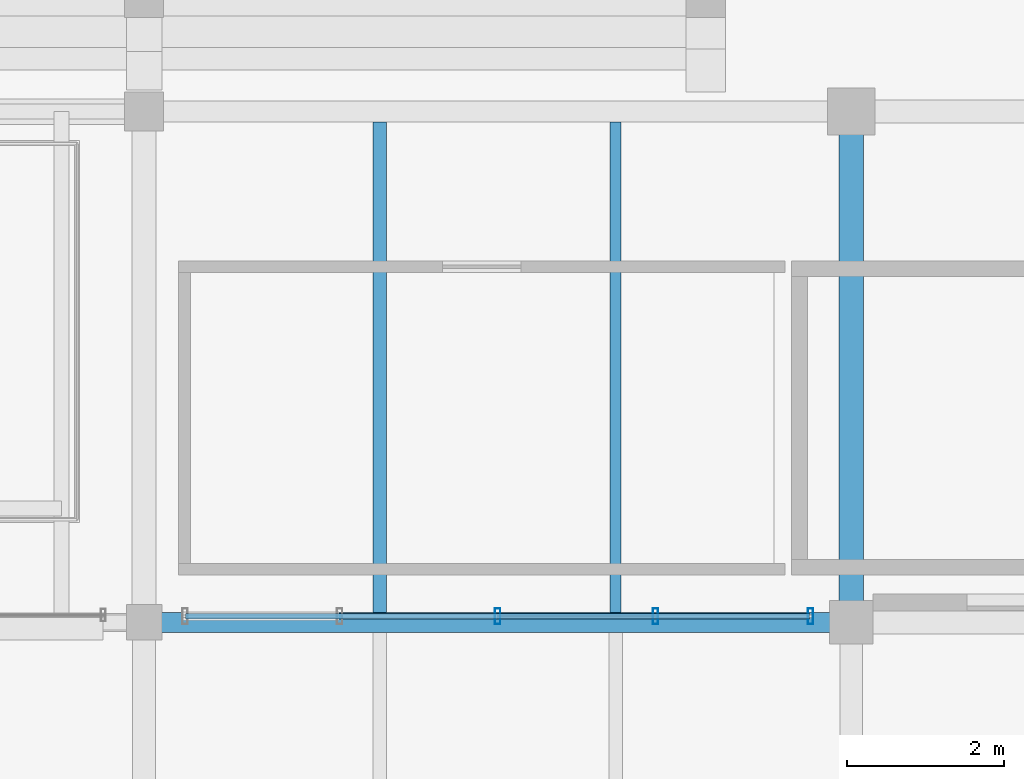
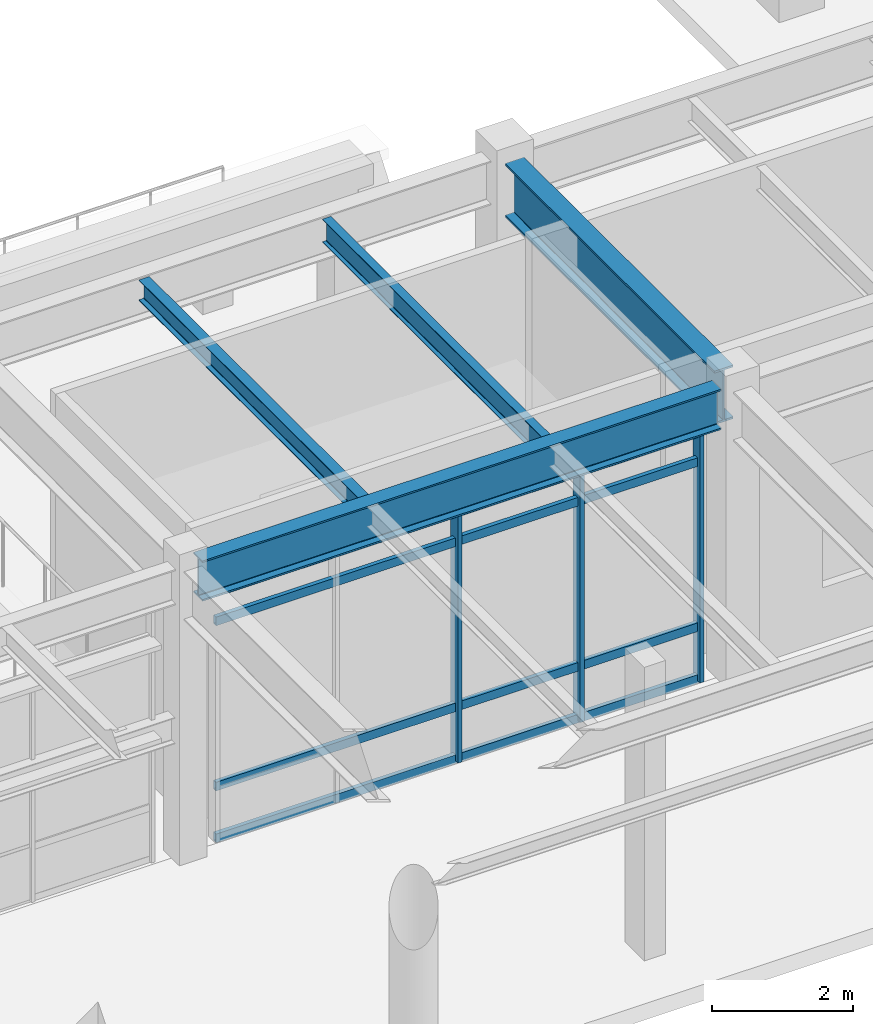
# One storey, part 56 of 203: 7 members, 4 beams, 1 element without a shape of its own.
"""IFC4 building model written with IfcOpenShell, lengths in metres."""

from ifc_helpers import new_model, si_unit, direction, frame, origin, origin_2d, place, context, subcontext, project, spatial, hollow_rectangle, i_section, extrude, material, material_profile, profile_set, type_object, element, aggregate, save


model = new_model("IFC4")

# Units and contexts
model_context = context("Model", 3, precision=1e-05, world=origin(), true_north=direction((0.0, 1.0)))
body_context = subcontext(model_context, "Body", "Model", "MODEL_VIEW")
ifc_project = project(units=[si_unit("LENGTHUNIT", "METRE"), si_unit("AREAUNIT", "SQUARE_METRE"), si_unit("VOLUMEUNIT", "CUBIC_METRE"), si_unit("PLANEANGLEUNIT", "RADIAN"), si_unit("MASSUNIT", "GRAM", prefix="KILO"), si_unit("THERMODYNAMICTEMPERATUREUNIT", "KELVIN"), si_unit("POWERUNIT", "WATT")], contexts=[model_context])

# Site, building, storey
site_placement = place(None, origin())
site = spatial("IfcSite", under=ifc_project, at=site_placement, CompositionType="ELEMENT")
building_placement = place(site_placement, origin())
building = spatial("IfcBuilding", under=site, at=building_placement, Name="Tepalcoro Natatorium and Aquatics Centre", CompositionType="ELEMENT")
storey_placement = place(building_placement, origin())
storey = spatial("IfcBuildingStorey", under=building, at=storey_placement, Name="L00", CompositionType="ELEMENT", Elevation=0.0)

# Beams
ifc_material_1 = material(Name="Steel ASTM A992 Grade 50 (Fy 345 MPa)", Category="steel")
ifc_material_profile_1 = material_profile(ifc_material_1, i_section(OverallWidth=0.25390625, OverallDepth=0.700927734375, WebThickness=0.014892578125, FlangeThickness=0.028076171875, FilletRadius=0.013916015625, at=origin_2d()), Name="W27X129")
ifc_profile_set_1 = profile_set([ifc_material_profile_1], Name="Steel ASTM A992 Grade 50 (Fy 345 MPa)")
beam_type_1 = type_object("IfcBeamType", Name="BM_W27x129", PredefinedType="BEAM", material=ifc_profile_set_1)
beam_1_placement = place(storey_placement, frame((107.2099609375, 6.5, 4.734619140625), z_axis=(1.0, 0.0, 0.0), x_axis=(0.0, 1.0, 0.0)))
element("IfcBeam", 1, at=beam_1_placement, inside=storey, type_object=beam_type_1, Name="V1 L00 Grid Girder X", PredefinedType="BEAM", context=body_context, shape_type="SweptSolid", body=[
    extrude(i_section(OverallWidth=0.25390625, OverallDepth=0.700927734375, WebThickness=0.014892578125, FlangeThickness=0.028076171875, FilletRadius=0.013916015625, at=origin_2d()), origin(), (0.0, 0.0, 1.0), 8.530029296875),
])
ifc_material_profile_2 = material_profile(ifc_material_1, i_section(OverallWidth=0.31005859375, OverallDepth=0.931884765625, WebThickness=0.02099609375, FlangeThickness=0.034912109375, FilletRadius=0.013916015625, at=origin_2d()), Name="W36X210")
ifc_profile_set_2 = profile_set([ifc_material_profile_2], Name="Steel ASTM A992 Grade 50 (Fy 345 MPa)")
beam_type_2 = type_object("IfcBeamType", Name="BM_W36x210", PredefinedType="BEAM", material=ifc_profile_set_2)
beam_2_placement = place(storey_placement, frame((116.0, 6.760009765625, 4.658935546875), z_axis=(0.0, 1.0, 0.0), x_axis=(-1.0, 0.0, 0.0)))
element("IfcBeam", 2, at=beam_2_placement, inside=storey, type_object=beam_type_2, Name="V1 L00 Grid Girder Y", PredefinedType="BEAM", context=body_context, shape_type="SweptSolid", body=[
    extrude(i_section(OverallWidth=0.31005859375, OverallDepth=0.931884765625, WebThickness=0.02099609375, FlangeThickness=0.034912109375, FilletRadius=0.013916015625, at=origin_2d()), origin(), (0.0, 0.0, 1.0), 5.955078125),
])

# Curtain wall, members
ifc_material_2 = material(Name="Bronze-Anodised Extruded Aluminium Alloy EN AW-6063 T6", Category="aluminium")
curtain_wall_type = type_object("IfcCurtainWallType", Name="CW_LEAN_T2_NS", PredefinedType="USERDEFINED", material=ifc_material_2)
curtain_wall_placement = place(storey_placement, origin())
curtain_wall = element("IfcCurtainWall", 3, at=curtain_wall_placement, inside=storey, type_object=curtain_wall_type, Name="V1 L00 S Unitised Curtain Wall Bay 8", ObjectType="FACETED SOLAR GLAZING", PredefinedType="USERDEFINED")
ifc_material_profile_3 = material_profile(ifc_material_2, hollow_rectangle(XDim=0.070068359375, YDim=0.199951171875, WallThickness=0.0048828125, at=origin_2d()), Name="AL70X200X5")
ifc_profile_set_3 = profile_set([ifc_material_profile_3], Name="Bronze-Anodised Extruded Aluminium Alloy EN AW-6063 T6")
member_type_1 = type_object("IfcMemberType", Name="CW_MUL_70x200", PredefinedType="MULLION", material=ifc_profile_set_3)
member_1_placement = place(storey_placement, frame((111.5, 6.576171875, 0.02001953125), z_axis=(0.0, 0.0, 1.0), x_axis=(1.0, 0.0, 0.0)))
member_1 = element("IfcMember", 4, at=member_1_placement, type_object=member_type_1, Name="CW_LEAN_T2_NS Curtain Wall Mullion", PredefinedType="MULLION", context=body_context, shape_type="SweptSolid", body=[
    extrude(hollow_rectangle(XDim=0.070068359375, YDim=0.199951171875, WallThickness=0.0048828125, at=origin_2d()), origin(), (0.0, 0.0, 1.0), 4.3291015625),
])
member_2_placement = place(storey_placement, frame((113.510009765625, 6.576171875, 0.02001953125), z_axis=(0.0, 0.0, 1.0), x_axis=(1.0, 0.0, 0.0)))
member_2 = element("IfcMember", 5, at=member_2_placement, type_object=member_type_1, Name="CW_LEAN_T2_NS Curtain Wall Mullion", PredefinedType="MULLION", context=body_context, shape_type="SweptSolid", body=[
    extrude(hollow_rectangle(XDim=0.070068359375, YDim=0.199951171875, WallThickness=0.0048828125, at=origin_2d()), origin(), (0.0, 0.0, 1.0), 4.3291015625),
])
member_3_placement = place(storey_placement, frame((115.47998046875, 6.576171875, 0.02001953125), z_axis=(0.0, 0.0, 1.0), x_axis=(1.0, 0.0, 0.0)))
member_3 = element("IfcMember", 6, at=member_3_placement, type_object=member_type_1, Name="CW_LEAN_T2_NS Curtain Wall Mullion", PredefinedType="MULLION", context=body_context, shape_type="SweptSolid", body=[
    extrude(hollow_rectangle(XDim=0.070068359375, YDim=0.199951171875, WallThickness=0.0048828125, at=origin_2d()), origin(), (0.0, 0.0, 1.0), 4.3291015625),
])
ifc_material_profile_4 = material_profile(ifc_material_2, hollow_rectangle(XDim=0.070068359375, YDim=0.14990234375, WallThickness=0.00390625, at=origin_2d()), Name="AL70X150X4")
ifc_profile_set_4 = profile_set([ifc_material_profile_4], Name="Bronze-Anodised Extruded Aluminium Alloy EN AW-6063 T6")
member_type_2 = type_object("IfcMemberType", Name="CW_TRN_70x150", PredefinedType="USERDEFINED", material=ifc_profile_set_4)
member_4_placement = place(storey_placement, frame((107.530029296875, 6.576171875, 0.050048828125), z_axis=(1.0, 0.0, 0.0), x_axis=(0.0, 1.0, 0.0)))
member_4 = element("IfcMember", 7, at=member_4_placement, type_object=member_type_2, Name="CW_LEAN_T2_NS Curtain Wall Transom", ObjectType="TRANSOM", PredefinedType="USERDEFINED", context=body_context, shape_type="SweptSolid", body=[
    extrude(hollow_rectangle(XDim=0.070068359375, YDim=0.14990234375, WallThickness=0.00390625, at=origin_2d()), origin(), (0.0, 0.0, 1.0), 7.93994140625),
])
member_5_placement = place(storey_placement, frame((107.530029296875, 6.576171875, 0.949951171875), z_axis=(1.0, 0.0, 0.0), x_axis=(0.0, 1.0, 0.0)))
member_5 = element("IfcMember", 8, at=member_5_placement, type_object=member_type_2, Name="CW_LEAN_T2_NS Curtain Wall Transom", ObjectType="TRANSOM", PredefinedType="USERDEFINED", context=body_context, shape_type="SweptSolid", body=[
    extrude(hollow_rectangle(XDim=0.070068359375, YDim=0.14990234375, WallThickness=0.00390625, at=origin_2d()), origin(), (0.0, 0.0, 1.0), 7.93994140625),
])
member_6_placement = place(storey_placement, frame((107.530029296875, 6.576171875, 3.819091796875), z_axis=(1.0, 0.0, 0.0), x_axis=(0.0, 1.0, 0.0)))
member_6 = element("IfcMember", 9, at=member_6_placement, type_object=member_type_2, Name="CW_LEAN_T2_NS Curtain Wall Transom", ObjectType="TRANSOM", PredefinedType="USERDEFINED", context=body_context, shape_type="SweptSolid", body=[
    extrude(hollow_rectangle(XDim=0.070068359375, YDim=0.14990234375, WallThickness=0.00390625, at=origin_2d()), origin(), (0.0, 0.0, 1.0), 7.93994140625),
])
member_7_placement = place(storey_placement, frame((107.530029296875, 6.576171875, 4.319091796875), z_axis=(1.0, 0.0, 0.0), x_axis=(0.0, 1.0, 0.0)))
member_7 = element("IfcMember", 10, at=member_7_placement, type_object=member_type_2, Name="CW_LEAN_T2_NS Curtain Wall Transom", ObjectType="TRANSOM", PredefinedType="USERDEFINED", context=body_context, shape_type="SweptSolid", body=[
    extrude(hollow_rectangle(XDim=0.070068359375, YDim=0.14990234375, WallThickness=0.00390625, at=origin_2d()), origin(), (0.0, 0.0, 1.0), 7.93994140625),
])
aggregate(curtain_wall, [member_1, member_2, member_3, member_4, member_5, member_6, member_7])

# Beams
ifc_material_profile_5 = material_profile(ifc_material_1, i_section(OverallWidth=0.172119140625, OverallDepth=0.35791015625, WebThickness=0.008056640625, FlangeThickness=0.012939453125, FilletRadius=0.013916015625, at=origin_2d()), Name="W14X38")
ifc_profile_set_5 = profile_set([ifc_material_profile_5], Name="Steel ASTM A992 Grade 50 (Fy 345 MPa)")
beam_type_3 = type_object("IfcBeamType", Name="JS_W14x38", PredefinedType="JOIST", material=ifc_profile_set_5)
beam_3_placement = place(storey_placement, frame((110.0, 6.626953125, 4.906005859375), z_axis=(0.0, 1.0, 0.0), x_axis=(-1.0, 0.0, 0.0)))
element("IfcBeam", 11, at=beam_3_placement, inside=storey, type_object=beam_type_3, Name="V1 L00 Floor Joist", PredefinedType="JOIST", context=body_context, shape_type="SweptSolid", body=[
    extrude(i_section(OverallWidth=0.172119140625, OverallDepth=0.35791015625, WebThickness=0.008056640625, FlangeThickness=0.012939453125, FilletRadius=0.013916015625, at=origin_2d()), origin(), (0.0, 0.0, 1.0), 6.239501953125),
])
ifc_material_profile_6 = material_profile(ifc_material_1, i_section(OverallWidth=0.139892578125, OverallDepth=0.404052734375, WebThickness=0.007080078125, FlangeThickness=0.010986328125, FilletRadius=0.013916015625, at=origin_2d()), Name="W16X31")
ifc_profile_set_6 = profile_set([ifc_material_profile_6], Name="Steel ASTM A992 Grade 50 (Fy 345 MPa)")
beam_type_4 = type_object("IfcBeamType", Name="JS_W16x31", PredefinedType="JOIST", material=ifc_profile_set_6)
beam_4_placement = place(storey_placement, frame((113.0, 6.626953125, 4.883056640625), z_axis=(0.0, 1.0, 0.0), x_axis=(-1.0, 0.0, 0.0)))
element("IfcBeam", 12, at=beam_4_placement, inside=storey, type_object=beam_type_4, Name="V1 L00 Floor Joist", PredefinedType="JOIST", context=body_context, shape_type="SweptSolid", body=[
    extrude(i_section(OverallWidth=0.139892578125, OverallDepth=0.404052734375, WebThickness=0.007080078125, FlangeThickness=0.010986328125, FilletRadius=0.013916015625, at=origin_2d()), origin(), (0.0, 0.0, 1.0), 6.239501953125),
])

save(model, "model.ifc")
